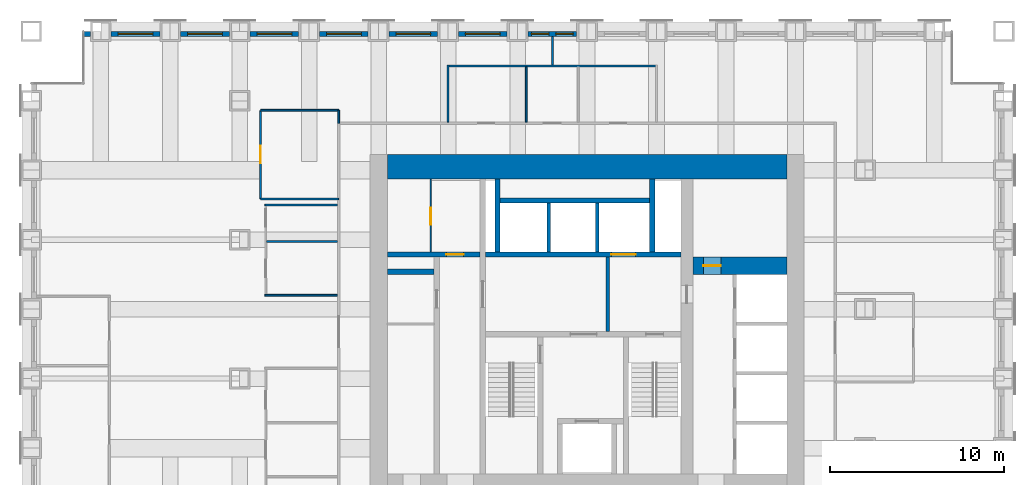
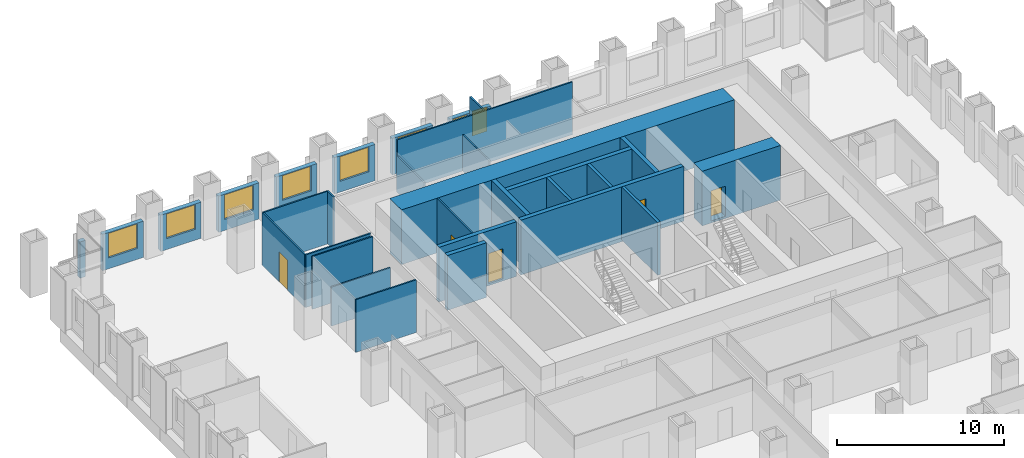
# One storey, part 12 of 15: 31 walls, 8 windows, 5 doors, 13 openings.
"""IFC4 building model written with IfcOpenShell, lengths in metres."""

from ifc_helpers import new_model, si_unit, direction, frame, frame_2d, origin, place, context, subcontext, project, spatial, rectangle, extrude, material, layer, layer_set, type_object, element, fill, save


model = new_model("IFC4")

# Units and contexts
model_context = context("Model", 3, precision=1e-05, world=origin(), true_north=direction((0.0, 1.0)))
body_context = subcontext(model_context, "Body", "Model", "MODEL_VIEW")
ifc_project = project(units=[si_unit("LENGTHUNIT", "METRE"), si_unit("AREAUNIT", "SQUARE_METRE"), si_unit("VOLUMEUNIT", "CUBIC_METRE"), si_unit("PLANEANGLEUNIT", "RADIAN"), si_unit("MASSUNIT", "GRAM", prefix="KILO")], contexts=[model_context])

# Site, building, storey
site_placement = place(None, origin())
site = spatial("IfcSite", under=ifc_project, at=site_placement, CompositionType="ELEMENT")
building_placement = place(site_placement, origin())
building = spatial("IfcBuilding", under=site, at=building_placement, Name="Rimbunsela Tower", CompositionType="ELEMENT")
storey_placement = place(building_placement, frame((0.0, 0.0, 39.0)))
storey = spatial("IfcBuildingStorey", under=building, at=storey_placement, Name="L09", CompositionType="ELEMENT", Elevation=39.0)

# Wall, opening, door
ifc_material_1 = material(Name="Concrete fc' 80 MPa", Category="concrete")
ifc_layer_1 = layer(ifc_material_1, 0.300048828125)
ifc_layer_set_1 = layer_set([ifc_layer_1], Name="Core internal wall 300")
wall_type_1 = type_object("IfcWallType", Name="Core internal wall 300", PredefinedType="SHEAR", material=ifc_layer_set_1)
wall_1_placement = place(storey_placement, frame((24.14990234375, 31.14990234375, -0.14990234375), z_axis=(0.0, 0.0, 1.0), x_axis=(1.0, 0.0, 0.0)))
wall_1 = element("IfcWall", 1, at=wall_1_placement, inside=storey, type_object=wall_type_1, Name="Lift shaft front north", PredefinedType="SHEAR", context=body_context, shape_type="SweptSolid", body=[
    extrude(rectangle(XDim=11.25, YDim=0.300048828125, at=frame_2d((5.625, 0.0))), origin(), (0.0, 0.0, 1.0), 4.0),
])
opening_1_placement = place(wall_1_placement, frame((7.25, 0.0, 0.14990234375)))
opening_1 = element("IfcOpeningElement", 2, at=opening_1_placement, cuts=wall_1, Name="Opening LD3", PredefinedType="OPENING", context=body_context, shape_type="SweptSolid", body=[
    extrude(rectangle(XDim=1.39990234375, YDim=2.39990234375, at=frame_2d((0.699951171875, 1.199951171875))), frame((0.0, 0.159912109375, 0.0), z_axis=(0.0, -1.0, 0.0), x_axis=(1.0, 0.0, 0.0)), (0.0, 0.0, 1.0), 0.320068359375),
])
ifc_material_2 = material(Name="Steel door, fire rated", Category="steel")
door_type_1 = type_object("IfcDoorType", Name="Lift landing door 1400", OperationType="DOUBLE_DOOR_SLIDING", PredefinedType="DOOR", material=ifc_material_2)
door_1_placement = place(opening_1_placement, origin())
door_1 = element("IfcDoor", 3, at=door_1_placement, inside=storey, type_object=door_type_1, Name="Lift landing door FL2", OperationType="DOUBLE_DOOR_SLIDING", OverallHeight=2.39990234375, OverallWidth=1.39990234375, PredefinedType="DOOR", context=body_context, shape_type="SweptSolid", body=[
    extrude(rectangle(XDim=1.39990234375, YDim=2.39990234375, at=frame_2d((0.699951171875, 1.199951171875))), frame((0.0, 0.02490234375, 0.0), z_axis=(0.0, -1.0, 0.0), x_axis=(1.0, 0.0, 0.0)), (0.0, 0.0, 1.0), 0.050048828125),
])
fill(opening_1, door_1)

wall_2_placement = place(storey_placement, frame((18.5, 31.14990234375, -0.14990234375), z_axis=(0.0, 0.0, 1.0), x_axis=(1.0, 0.0, 0.0)))
wall_2 = element("IfcWall", 4, at=wall_2_placement, inside=storey, type_object=wall_type_1, Name="Store wall", PredefinedType="SHEAR", context=body_context, shape_type="SweptSolid", body=[
    extrude(rectangle(XDim=5.35009765625, YDim=0.300048828125, at=frame_2d((2.675048828125, 0.0))), origin(), (0.0, 0.0, 1.0), 4.0),
])
opening_2_placement = place(wall_2_placement, frame((3.39990234375, 0.0, 0.14990234375)))
opening_2 = element("IfcOpeningElement", 5, at=opening_2_placement, cuts=wall_2, Name="Opening D19", PredefinedType="OPENING", context=body_context, shape_type="SweptSolid", body=[
    extrude(rectangle(XDim=1.0, YDim=2.199951171875, at=frame_2d((0.5, 1.10009765625))), frame((0.0, 0.159912109375, 0.0), z_axis=(0.0, -1.0, 0.0), x_axis=(1.0, 0.0, 0.0)), (0.0, 0.0, 1.0), 0.320068359375),
])
ifc_material_3 = material(Name="Steel door, fire rated", Category="steel")
door_type_2 = type_object("IfcDoorType", Name="Service door 1000 fire rated", OperationType="SINGLE_SWING_LEFT", PredefinedType="DOOR", material=ifc_material_3)
door_2_placement = place(opening_2_placement, origin())
door_2 = element("IfcDoor", 6, at=door_2_placement, inside=storey, type_object=door_type_2, Name="IT room door", OperationType="SINGLE_SWING_LEFT", OverallHeight=2.199951171875, OverallWidth=1.0, PredefinedType="DOOR", context=body_context, shape_type="SweptSolid", body=[
    extrude(rectangle(XDim=1.0, YDim=2.199951171875, at=frame_2d((0.5, 1.10009765625))), frame((0.0, 0.02490234375, 0.0), z_axis=(0.0, -1.0, 0.0), x_axis=(1.0, 0.0, 0.0)), (0.0, 0.0, 1.0), 0.050048828125),
])
fill(opening_2, door_2)

# Walls
wall_3_placement = place(storey_placement, frame((18.5, 30.14990234375, -0.14990234375), z_axis=(0.0, 0.0, 1.0), x_axis=(1.0, 0.0, 0.0)))
element("IfcWall", 7, at=wall_3_placement, inside=storey, type_object=wall_type_1, Name="Lift shaft rear west", PredefinedType="SHEAR", context=body_context, shape_type="SweptSolid", body=[
    extrude(rectangle(XDim=2.699951171875, YDim=0.300048828125, at=frame_2d((1.35009765625, 0.0))), origin(), (0.0, 0.0, 1.0), 4.0),
])
for number, where, z_axis, x_axis, name in (
    (8, (24.85009765625, 31.300048828125, -0.14990234375), (0.0, 0.0, 1.0), (0.0, 1.0, 0.0), "Riser wall"),
    (9, (33.75, 31.300048828125, -0.14990234375), (0.0, 0.0, 1.0), (0.0, 1.0, 0.0), "Riser wall"),
):
    element("IfcWall", number, at=place(storey_placement, frame(where, z_axis=z_axis, x_axis=x_axis)), inside=storey, type_object=wall_type_1, Name=name, PredefinedType="SHEAR", context=body_context, shape_type="SweptSolid", body=[
        extrude(rectangle(XDim=4.199951171875, YDim=0.300048828125, at=frame_2d((2.10009765625, 0.0))), origin(), (0.0, 0.0, 1.0), 4.0),
    ])
wall_4_placement = place(storey_placement, frame((25.0, 34.25, -0.14990234375), z_axis=(0.0, 0.0, 1.0), x_axis=(1.0, 0.0, 0.0)))
element("IfcWall", 10, at=wall_4_placement, inside=storey, type_object=wall_type_1, Name="Lift shaft rear north", PredefinedType="SHEAR", context=body_context, shape_type="SweptSolid", body=[
    extrude(rectangle(XDim=8.60009765625, YDim=0.300048828125, at=frame_2d((4.300048828125, 0.0))), origin(), (0.0, 0.0, 1.0), 4.0),
])

# Wall, opening, door
ifc_material_4 = material(Name="Concrete blockwork", Category="masonry")
ifc_layer_2 = layer(ifc_material_4, 0.10009765625)
ifc_layer_set_2 = layer_set([ifc_layer_2], Name="Core room partition 100")
wall_type_2 = type_object("IfcWallType", Name="Core room partition 100", PredefinedType="PARTITIONING", material=ifc_layer_set_2)
wall_5_placement = place(storey_placement, frame((21.0, 31.300048828125, 0.0), z_axis=(0.0, 0.0, 1.0), x_axis=(0.0, 1.0, 0.0)))
wall_5 = element("IfcWall", 11, at=wall_5_placement, inside=storey, type_object=wall_type_2, Name="Housekeeping store wall", PredefinedType="PARTITIONING", context=body_context, shape_type="SweptSolid", body=[
    extrude(rectangle(XDim=4.199951171875, YDim=0.10009765625, at=frame_2d((2.10009765625, 0.0))), origin(), (0.0, 0.0, 1.0), 3.85009765625),
])
opening_3_placement = place(wall_5_placement, frame((1.550048828125, 0.0, 0.0)))
opening_3 = element("IfcOpeningElement", 12, at=opening_3_placement, cuts=wall_5, Name="Opening D19", PredefinedType="OPENING", context=body_context, shape_type="SweptSolid", body=[
    extrude(rectangle(XDim=1.0, YDim=2.199951171875, at=frame_2d((0.5, 1.10009765625))), frame((0.0, 0.06005859375, 0.0), z_axis=(0.0, -1.0, 0.0), x_axis=(1.0, 0.0, 0.0)), (0.0, 0.0, 1.0), 0.1201171875),
])
door_3_placement = place(opening_3_placement, origin())
door_3 = element("IfcDoor", 13, at=door_3_placement, inside=storey, type_object=door_type_2, Name="Housekeeping store door", OperationType="SINGLE_SWING_LEFT", OverallHeight=2.199951171875, OverallWidth=1.0, PredefinedType="DOOR", context=body_context, shape_type="SweptSolid", body=[
    extrude(rectangle(XDim=1.0, YDim=2.199951171875, at=frame_2d((0.5, 1.10009765625))), frame((0.0, 0.02490234375, 0.0), z_axis=(0.0, -1.0, 0.0), x_axis=(1.0, 0.0, 0.0)), (0.0, 0.0, 1.0), 0.050048828125),
])
fill(opening_3, door_3)

ifc_material_5 = material(Name="Concrete fc' 80 MPa", Category="concrete")
ifc_layer_3 = layer(ifc_material_5, 1.0)
ifc_layer_set_3 = layer_set([ifc_layer_3], Name="Core wall 1000")
wall_type_3 = type_object("IfcWallType", Name="Core wall 1000", PredefinedType="SHEAR", material=ifc_layer_set_3)
wall_6_placement = place(storey_placement, frame((36.10009765625, 30.5, -0.14990234375), z_axis=(0.0, 0.0, 1.0), x_axis=(1.0, 0.0, 0.0)))
wall_6 = element("IfcWall", 14, at=wall_6_placement, inside=storey, type_object=wall_type_3, Name="Lift shaft rear east", PredefinedType="SHEAR", context=body_context, shape_type="SweptSolid", body=[
    extrude(rectangle(XDim=5.39990234375, YDim=1.0, at=frame_2d((2.699951171875, 0.0))), origin(), (0.0, 0.0, 1.0), 4.0),
])
opening_4_placement = place(wall_6_placement, frame((0.60009765625, 0.0, 0.14990234375)))
opening_4 = element("IfcOpeningElement", 15, at=opening_4_placement, cuts=wall_6, Name="Opening D19", PredefinedType="OPENING", context=body_context, shape_type="SweptSolid", body=[
    extrude(rectangle(XDim=1.0, YDim=2.199951171875, at=frame_2d((0.5, 1.10009765625))), frame((0.0, 0.510009765625, 0.0), z_axis=(0.0, -1.0, 0.0), x_axis=(1.0, 0.0, 0.0)), (0.0, 0.0, 1.0), 1.02001953125),
])
door_4_placement = place(opening_4_placement, origin())
door_4 = element("IfcDoor", 16, at=door_4_placement, inside=storey, type_object=door_type_2, Name="Communications room door", OperationType="SINGLE_SWING_LEFT", OverallHeight=2.199951171875, OverallWidth=1.0, PredefinedType="DOOR", context=body_context, shape_type="SweptSolid", body=[
    extrude(rectangle(XDim=1.0, YDim=2.199951171875, at=frame_2d((0.5, 1.10009765625))), frame((0.0, 0.02490234375, 0.0), z_axis=(0.0, -1.0, 0.0), x_axis=(1.0, 0.0, 0.0)), (0.0, 0.0, 1.0), 0.050048828125),
])
fill(opening_4, door_4)

# Walls
ifc_material_6 = material(Name="Concrete fc' 80 MPa", Category="concrete")
ifc_layer_4 = layer(ifc_material_6, 1.39990234375)
ifc_layer_set_4 = layer_set([ifc_layer_4], Name="Core wall 1400")
wall_type_4 = type_object("IfcWallType", Name="Core wall 1400", PredefinedType="SHEAR", material=ifc_layer_set_4)
wall_7_placement = place(storey_placement, frame((18.5, 36.199951171875, -0.14990234375), z_axis=(0.0, 0.0, 1.0), x_axis=(1.0, 0.0, 0.0)))
element("IfcWall", 17, at=wall_7_placement, inside=storey, type_object=wall_type_4, Name="Core wall north", PredefinedType="SHEAR", context=body_context, shape_type="SweptSolid", body=[
    extrude(rectangle(XDim=23.0, YDim=1.39990234375, at=frame_2d((11.5, 0.0))), origin(), (0.0, 0.0, 1.0), 4.0),
])
ifc_material_7 = material(Name="Concrete blockwork", Category="masonry")
ifc_layer_5 = layer(ifc_material_7, 0.199951171875)
ifc_layer_set_5 = layer_set([ifc_layer_5], Name="Lift shaft wall 200")
wall_type_5 = type_object("IfcWallType", Name="Lift shaft wall 200", PredefinedType="SOLIDWALL", material=ifc_layer_set_5)
for number, where, z_axis, x_axis, name in (
    (18, (27.800048828125, 31.300048828125, -0.14990234375), (0.0, 0.0, 1.0), (0.0, 1.0, 0.0), "Lift shaft separation"),
    (19, (30.60009765625, 31.300048828125, -0.14990234375), (0.0, 0.0, 1.0), (0.0, 1.0, 0.0), "Lift shaft separation"),
):
    element("IfcWall", number, at=place(storey_placement, frame(where, z_axis=z_axis, x_axis=x_axis)), inside=storey, type_object=wall_type_5, Name=name, PredefinedType="SOLIDWALL", context=body_context, shape_type="SweptSolid", body=[
        extrude(rectangle(XDim=2.800048828125, YDim=0.199951171875, at=frame_2d((1.39990234375, 0.0))), origin(), (0.0, 0.0, 1.0), 4.0),
    ])
wall_8_placement = place(storey_placement, frame((31.199951171875, 26.699951171875, 0.0), z_axis=(0.0, 0.0, 1.0), x_axis=(0.0, 1.0, 0.0)))
element("IfcWall", 20, at=wall_8_placement, inside=storey, type_object=wall_type_5, Name="Firefighting lobby 2 wall", PredefinedType="SOLIDWALL", context=body_context, shape_type="SweptSolid", body=[
    extrude(rectangle(XDim=4.300048828125, YDim=0.199951171875, at=frame_2d((2.14990234375, 0.0))), origin(), (0.0, 0.0, 1.0), 3.85009765625),
])
ifc_material_8 = material(Name="Gypsum board on steel studs", Category="steel")
ifc_layer_6 = layer(ifc_material_8, 0.10009765625)
ifc_layer_set_6 = layer_set([ifc_layer_6], Name="Office partition 100")
wall_type_6 = type_object("IfcWallType", Name="Office partition 100", PredefinedType="PARTITIONING", material=ifc_layer_set_6)
wall_9_placement = place(storey_placement, frame((11.449951171875, 28.800048828125, 0.0), z_axis=(0.0, 0.0, 1.0), x_axis=(1.0, 0.0, 0.0)))
element("IfcWall", 21, at=wall_9_placement, inside=storey, type_object=wall_type_6, Name="Office partition", PredefinedType="PARTITIONING", context=body_context, shape_type="SweptSolid", body=[
    extrude(rectangle(XDim=4.175048828125, YDim=0.10009765625, at=frame_2d((2.08740234375, 0.0))), origin(), (0.0, 0.0, 1.0), 3.85009765625),
])
wall_10_placement = place(storey_placement, frame((11.550048828125, 31.89990234375, 0.0), z_axis=(0.0, 0.0, 1.0), x_axis=(1.0, 0.0, 0.0)))
element("IfcWall", 22, at=wall_10_placement, inside=storey, type_object=wall_type_6, Name="Office partition", PredefinedType="PARTITIONING", context=body_context, shape_type="SweptSolid", body=[
    extrude(rectangle(XDim=4.074951171875, YDim=0.10009765625, at=frame_2d((2.03759765625, 0.0))), origin(), (0.0, 0.0, 1.0), 2.85009765625),
])
wall_11_placement = place(storey_placement, frame((11.449951171875, 34.0, 0.0), z_axis=(0.0, 0.0, 1.0), x_axis=(1.0, 0.0, 0.0)))
element("IfcWall", 23, at=wall_11_placement, inside=storey, type_object=wall_type_6, Name="Office partition", PredefinedType="PARTITIONING", context=body_context, shape_type="SweptSolid", body=[
    extrude(rectangle(XDim=4.175048828125, YDim=0.10009765625, at=frame_2d((2.08740234375, 0.0))), origin(), (0.0, 0.0, 1.0), 3.85009765625),
])
wall_12_placement = place(storey_placement, frame((15.699951171875, 38.699951171875, 0.0), z_axis=(0.0, 0.0, 1.0), x_axis=(0.0, 1.0, 0.0)))
element("IfcWall", 24, at=wall_12_placement, inside=storey, type_object=wall_type_6, Name="Office partition", PredefinedType="PARTITIONING", context=body_context, shape_type="SweptSolid", body=[
    extrude(rectangle(XDim=0.75, YDim=0.10009765625, at=frame_2d((0.375, 0.0))), origin(), (0.0, 0.0, 1.0), 3.85009765625),
])
wall_13_placement = place(storey_placement, frame((15.699951171875, 39.449951171875, 0.0), z_axis=(0.0, 0.0, 1.0), x_axis=(-1.0, 0.0, 0.0)))
element("IfcWall", 25, at=wall_13_placement, inside=storey, type_object=wall_type_6, Name="Office partition", PredefinedType="PARTITIONING", context=body_context, shape_type="SweptSolid", body=[
    extrude(rectangle(XDim=4.5, YDim=0.10009765625, at=frame_2d((2.25, 0.0))), origin(), (0.0, 0.0, 1.0), 3.85009765625),
])

# Wall, opening, door
wall_14_placement = place(storey_placement, frame((11.199951171875, 39.449951171875, 0.0), z_axis=(0.0, 0.0, 1.0), x_axis=(0.0, -1.0, 0.0)))
wall_14 = element("IfcWall", 26, at=wall_14_placement, inside=storey, type_object=wall_type_6, Name="Office partition", PredefinedType="PARTITIONING", context=body_context, shape_type="SweptSolid", body=[
    extrude(rectangle(XDim=5.099853515625, YDim=0.10009765625, at=frame_2d((2.5498046875, 0.0))), origin(), (0.0, 0.0, 1.0), 3.85009765625),
])
opening_5_placement = place(wall_14_placement, frame((2.050048828125, 0.0, 0.0)))
opening_5 = element("IfcOpeningElement", 27, at=opening_5_placement, cuts=wall_14, Name="Opening D17", PredefinedType="OPENING", context=body_context, shape_type="SweptSolid", body=[
    extrude(rectangle(XDim=1.0, YDim=2.199951171875, at=frame_2d((0.5, 1.10009765625))), frame((0.0, 0.06005859375, 0.0), z_axis=(0.0, -1.0, 0.0), x_axis=(1.0, 0.0, 0.0)), (0.0, 0.0, 1.0), 0.1201171875),
])
ifc_material_9 = material(Name="Glazed aluminium door", Category="aluminium")
door_type_3 = type_object("IfcDoorType", Name="Meeting room door 1000 glazed", OperationType="SINGLE_SWING_RIGHT", PredefinedType="DOOR", material=ifc_material_9)
door_5_placement = place(opening_5_placement, origin())
door_5 = element("IfcDoor", 28, at=door_5_placement, inside=storey, type_object=door_type_3, Name="Reception door", OperationType="SINGLE_SWING_RIGHT", OverallHeight=2.199951171875, OverallWidth=1.0, PredefinedType="DOOR", context=body_context, shape_type="SweptSolid", body=[
    extrude(rectangle(XDim=1.0, YDim=2.199951171875, at=frame_2d((0.5, 1.10009765625))), frame((0.0, 0.02490234375, 0.0), z_axis=(0.0, -1.0, 0.0), x_axis=(1.0, 0.0, 0.0)), (0.0, 0.0, 1.0), 0.050048828125),
])
fill(opening_5, door_5)

# Walls
wall_15_placement = place(storey_placement, frame((11.199951171875, 34.35009765625, 0.0), z_axis=(0.0, 0.0, 1.0), x_axis=(1.0, 0.0, 0.0)))
element("IfcWall", 29, at=wall_15_placement, inside=storey, type_object=wall_type_6, Name="Office partition", PredefinedType="PARTITIONING", context=body_context, shape_type="SweptSolid", body=[
    extrude(rectangle(XDim=4.5, YDim=0.10009765625, at=frame_2d((2.25, 0.0))), origin(), (0.0, 0.0, 1.0), 3.85009765625),
])
ifc_material_10 = material(Name="Precast concrete fc' 35 MPa", Category="concrete")
ifc_layer_7 = layer(ifc_material_10, 0.300048828125)
ifc_layer_set_7 = layer_set([ifc_layer_7], Name="Precast concrete fc' 35 MPa")
wall_type_7 = type_object("IfcWallType", Name="Precast facade panel 300", PredefinedType="ELEMENTEDWALL", material=ifc_layer_set_7)
wall_16_placement = place(storey_placement, frame((1.39990234375, 43.85009765625, 0.0), z_axis=(0.0, 0.0, 1.0), x_axis=(-1.0, 0.0, 0.0)))
element("IfcWall", 30, at=wall_16_placement, inside=storey, type_object=wall_type_7, Name="Facade panel N L09", PredefinedType="ELEMENTEDWALL", context=body_context, shape_type="SweptSolid", body=[
    extrude(rectangle(XDim=0.369873046875, YDim=0.300048828125, at=frame_2d((0.18505859375, 0.0))), origin(), (0.0, 0.0, 1.0), 2.64990234375),
])

# Wall, opening, window
wall_17_placement = place(storey_placement, frame((5.39990234375, 43.85009765625, 0.0), z_axis=(0.0, 0.0, 1.0), x_axis=(-1.0, 0.0, 0.0)))
wall_17 = element("IfcWall", 31, at=wall_17_placement, inside=storey, type_object=wall_type_7, Name="Facade panel N L09", PredefinedType="ELEMENTEDWALL", context=body_context, shape_type="SweptSolid", body=[
    extrude(rectangle(XDim=2.7998046875, YDim=0.300048828125, at=frame_2d((1.39990234375, 0.0))), origin(), (0.0, 0.0, 1.0), 2.64990234375),
])
opening_6_placement = place(wall_17_placement, frame((0.39990234375, 0.0, 0.800048828125)))
opening_6 = element("IfcOpeningElement", 32, at=opening_6_placement, cuts=wall_17, Name="Opening W7", PredefinedType="OPENING", context=body_context, shape_type="SweptSolid", body=[
    extrude(rectangle(XDim=2.0, YDim=1.800048828125, at=frame_2d((1.0, 0.89990234375))), frame((0.0, 0.159912109375, 0.0), z_axis=(0.0, -1.0, 0.0), x_axis=(1.0, 0.0, 0.0)), (0.0, 0.0, 1.0), 0.320068359375),
])
ifc_material_11 = material(Name="Clear glass in aluminium frame", Category="aluminium")
window_type_1 = type_object("IfcWindowType", Name="Window W7 2000x1800", PartitioningType="DOUBLE_PANEL_VERTICAL", PredefinedType="WINDOW", material=ifc_material_11)
window_1_placement = place(opening_6_placement, origin())
window_1 = element("IfcWindow", 33, at=window_1_placement, inside=storey, type_object=window_type_1, Name="Window L09", OverallHeight=1.800048828125, OverallWidth=2.0, PartitioningType="SINGLE_PANEL", PredefinedType="WINDOW", context=body_context, shape_type="SweptSolid", body=[
    extrude(rectangle(XDim=2.0, YDim=1.800048828125, at=frame_2d((1.0, 0.89990234375))), frame((0.0, 0.030029296875, 0.0), z_axis=(0.0, -1.0, 0.0), x_axis=(1.0, 0.0, 0.0)), (0.0, 0.0, 1.0), 0.06005859375),
])
fill(opening_6, window_1)

wall_18_placement = place(storey_placement, frame((9.39990234375, 43.85009765625, 0.0), z_axis=(0.0, 0.0, 1.0), x_axis=(-1.0, 0.0, 0.0)))
wall_18 = element("IfcWall", 34, at=wall_18_placement, inside=storey, type_object=wall_type_7, Name="Facade panel N L09", PredefinedType="ELEMENTEDWALL", context=body_context, shape_type="SweptSolid", body=[
    extrude(rectangle(XDim=2.7998046875, YDim=0.300048828125, at=frame_2d((1.39990234375, 0.0))), origin(), (0.0, 0.0, 1.0), 2.64990234375),
])
opening_7_placement = place(wall_18_placement, frame((0.39990234375, 0.0, 0.800048828125)))
opening_7 = element("IfcOpeningElement", 35, at=opening_7_placement, cuts=wall_18, Name="Opening W7", PredefinedType="OPENING", context=body_context, shape_type="SweptSolid", body=[
    extrude(rectangle(XDim=2.0, YDim=1.800048828125, at=frame_2d((1.0, 0.89990234375))), frame((0.0, 0.159912109375, 0.0), z_axis=(0.0, -1.0, 0.0), x_axis=(1.0, 0.0, 0.0)), (0.0, 0.0, 1.0), 0.320068359375),
])
window_2_placement = place(opening_7_placement, origin())
window_2 = element("IfcWindow", 36, at=window_2_placement, inside=storey, type_object=window_type_1, Name="Window L09", OverallHeight=1.800048828125, OverallWidth=2.0, PartitioningType="SINGLE_PANEL", PredefinedType="WINDOW", context=body_context, shape_type="SweptSolid", body=[
    extrude(rectangle(XDim=2.0, YDim=1.800048828125, at=frame_2d((1.0, 0.89990234375))), frame((0.0, 0.030029296875, 0.0), z_axis=(0.0, -1.0, 0.0), x_axis=(1.0, 0.0, 0.0)), (0.0, 0.0, 1.0), 0.06005859375),
])
fill(opening_7, window_2)

wall_19_placement = place(storey_placement, frame((13.39990234375, 43.85009765625, 0.0), z_axis=(0.0, 0.0, 1.0), x_axis=(-1.0, 0.0, 0.0)))
wall_19 = element("IfcWall", 37, at=wall_19_placement, inside=storey, type_object=wall_type_7, Name="Facade panel N L09", PredefinedType="ELEMENTEDWALL", context=body_context, shape_type="SweptSolid", body=[
    extrude(rectangle(XDim=2.7998046875, YDim=0.300048828125, at=frame_2d((1.39990234375, 0.0))), origin(), (0.0, 0.0, 1.0), 2.64990234375),
])
opening_8_placement = place(wall_19_placement, frame((0.39990234375, 0.0, 0.800048828125)))
opening_8 = element("IfcOpeningElement", 38, at=opening_8_placement, cuts=wall_19, Name="Opening W7", PredefinedType="OPENING", context=body_context, shape_type="SweptSolid", body=[
    extrude(rectangle(XDim=2.0, YDim=1.800048828125, at=frame_2d((1.0, 0.89990234375))), frame((0.0, 0.159912109375, 0.0), z_axis=(0.0, -1.0, 0.0), x_axis=(1.0, 0.0, 0.0)), (0.0, 0.0, 1.0), 0.320068359375),
])
window_3_placement = place(opening_8_placement, origin())
window_3 = element("IfcWindow", 39, at=window_3_placement, inside=storey, type_object=window_type_1, Name="Window L09", OverallHeight=1.800048828125, OverallWidth=2.0, PartitioningType="SINGLE_PANEL", PredefinedType="WINDOW", context=body_context, shape_type="SweptSolid", body=[
    extrude(rectangle(XDim=2.0, YDim=1.800048828125, at=frame_2d((1.0, 0.89990234375))), frame((0.0, 0.030029296875, 0.0), z_axis=(0.0, -1.0, 0.0), x_axis=(1.0, 0.0, 0.0)), (0.0, 0.0, 1.0), 0.06005859375),
])
fill(opening_8, window_3)

wall_20_placement = place(storey_placement, frame((17.39990234375, 43.85009765625, 0.0), z_axis=(0.0, 0.0, 1.0), x_axis=(-1.0, 0.0, 0.0)))
wall_20 = element("IfcWall", 40, at=wall_20_placement, inside=storey, type_object=wall_type_7, Name="Facade panel N L09", PredefinedType="ELEMENTEDWALL", context=body_context, shape_type="SweptSolid", body=[
    extrude(rectangle(XDim=2.7998046875, YDim=0.300048828125, at=frame_2d((1.39990234375, 0.0))), origin(), (0.0, 0.0, 1.0), 2.64990234375),
])
opening_9_placement = place(wall_20_placement, frame((0.39990234375, 0.0, 0.800048828125)))
opening_9 = element("IfcOpeningElement", 41, at=opening_9_placement, cuts=wall_20, Name="Opening W7", PredefinedType="OPENING", context=body_context, shape_type="SweptSolid", body=[
    extrude(rectangle(XDim=2.0, YDim=1.800048828125, at=frame_2d((1.0, 0.89990234375))), frame((0.0, 0.159912109375, 0.0), z_axis=(0.0, -1.0, 0.0), x_axis=(1.0, 0.0, 0.0)), (0.0, 0.0, 1.0), 0.320068359375),
])
window_4_placement = place(opening_9_placement, origin())
window_4 = element("IfcWindow", 42, at=window_4_placement, inside=storey, type_object=window_type_1, Name="Window L09", OverallHeight=1.800048828125, OverallWidth=2.0, PartitioningType="SINGLE_PANEL", PredefinedType="WINDOW", context=body_context, shape_type="SweptSolid", body=[
    extrude(rectangle(XDim=2.0, YDim=1.800048828125, at=frame_2d((1.0, 0.89990234375))), frame((0.0, 0.030029296875, 0.0), z_axis=(0.0, -1.0, 0.0), x_axis=(1.0, 0.0, 0.0)), (0.0, 0.0, 1.0), 0.06005859375),
])
fill(opening_9, window_4)

wall_21_placement = place(storey_placement, frame((21.39990234375, 43.85009765625, 0.0), z_axis=(0.0, 0.0, 1.0), x_axis=(-1.0, 0.0, 0.0)))
wall_21 = element("IfcWall", 43, at=wall_21_placement, inside=storey, type_object=wall_type_7, Name="Facade panel N L09", PredefinedType="ELEMENTEDWALL", context=body_context, shape_type="SweptSolid", body=[
    extrude(rectangle(XDim=2.7998046875, YDim=0.300048828125, at=frame_2d((1.39990234375, 0.0))), origin(), (0.0, 0.0, 1.0), 2.64990234375),
])
opening_10_placement = place(wall_21_placement, frame((0.39990234375, 0.0, 0.800048828125)))
opening_10 = element("IfcOpeningElement", 44, at=opening_10_placement, cuts=wall_21, Name="Opening W7", PredefinedType="OPENING", context=body_context, shape_type="SweptSolid", body=[
    extrude(rectangle(XDim=2.0, YDim=1.800048828125, at=frame_2d((1.0, 0.89990234375))), frame((0.0, 0.159912109375, 0.0), z_axis=(0.0, -1.0, 0.0), x_axis=(1.0, 0.0, 0.0)), (0.0, 0.0, 1.0), 0.320068359375),
])
window_5_placement = place(opening_10_placement, origin())
window_5 = element("IfcWindow", 45, at=window_5_placement, inside=storey, type_object=window_type_1, Name="Window L09", OverallHeight=1.800048828125, OverallWidth=2.0, PartitioningType="SINGLE_PANEL", PredefinedType="WINDOW", context=body_context, shape_type="SweptSolid", body=[
    extrude(rectangle(XDim=2.0, YDim=1.800048828125, at=frame_2d((1.0, 0.89990234375))), frame((0.0, 0.030029296875, 0.0), z_axis=(0.0, -1.0, 0.0), x_axis=(1.0, 0.0, 0.0)), (0.0, 0.0, 1.0), 0.06005859375),
])
fill(opening_10, window_5)

wall_22_placement = place(storey_placement, frame((25.39990234375, 43.85009765625, 0.0), z_axis=(0.0, 0.0, 1.0), x_axis=(-1.0, 0.0, 0.0)))
wall_22 = element("IfcWall", 46, at=wall_22_placement, inside=storey, type_object=wall_type_7, Name="Facade panel N L09", PredefinedType="ELEMENTEDWALL", context=body_context, shape_type="SweptSolid", body=[
    extrude(rectangle(XDim=2.7998046875, YDim=0.300048828125, at=frame_2d((1.39990234375, 0.0))), origin(), (0.0, 0.0, 1.0), 2.64990234375),
])
opening_11_placement = place(wall_22_placement, frame((0.39990234375, 0.0, 0.800048828125)))
opening_11 = element("IfcOpeningElement", 47, at=opening_11_placement, cuts=wall_22, Name="Opening W7", PredefinedType="OPENING", context=body_context, shape_type="SweptSolid", body=[
    extrude(rectangle(XDim=2.0, YDim=1.800048828125, at=frame_2d((1.0, 0.89990234375))), frame((0.0, 0.159912109375, 0.0), z_axis=(0.0, -1.0, 0.0), x_axis=(1.0, 0.0, 0.0)), (0.0, 0.0, 1.0), 0.320068359375),
])
window_6_placement = place(opening_11_placement, origin())
window_6 = element("IfcWindow", 48, at=window_6_placement, inside=storey, type_object=window_type_1, Name="Window L09", OverallHeight=1.800048828125, OverallWidth=2.0, PartitioningType="SINGLE_PANEL", PredefinedType="WINDOW", context=body_context, shape_type="SweptSolid", body=[
    extrude(rectangle(XDim=2.0, YDim=1.800048828125, at=frame_2d((1.0, 0.89990234375))), frame((0.0, 0.030029296875, 0.0), z_axis=(0.0, -1.0, 0.0), x_axis=(1.0, 0.0, 0.0)), (0.0, 0.0, 1.0), 0.06005859375),
])
fill(opening_11, window_6)

# Wall, openings, windows
wall_23_placement = place(storey_placement, frame((29.39990234375, 43.85009765625, 0.0), z_axis=(0.0, 0.0, 1.0), x_axis=(-1.0, 0.0, 0.0)))
wall_23 = element("IfcWall", 49, at=wall_23_placement, inside=storey, type_object=wall_type_7, Name="Facade panel N L09", PredefinedType="ELEMENTEDWALL", context=body_context, shape_type="SweptSolid", body=[
    extrude(rectangle(XDim=2.7998046875, YDim=0.300048828125, at=frame_2d((1.39990234375, 0.0))), origin(), (0.0, 0.0, 1.0), 2.64990234375),
])
opening_12_placement = place(wall_23_placement, frame((1.60009765625, 0.0, 0.800048828125)))
opening_12 = element("IfcOpeningElement", 50, at=opening_12_placement, cuts=wall_23, Name="Opening W8", PredefinedType="OPENING", context=body_context, shape_type="SweptSolid", body=[
    extrude(rectangle(XDim=1.0, YDim=1.800048828125, at=frame_2d((0.5, 0.89990234375))), frame((0.0, 0.159912109375, 0.0), z_axis=(0.0, -1.0, 0.0), x_axis=(1.0, 0.0, 0.0)), (0.0, 0.0, 1.0), 0.320068359375),
])
opening_13_placement = place(wall_23_placement, frame((0.199951171875, 0.0, 0.800048828125)))
opening_13 = element("IfcOpeningElement", 51, at=opening_13_placement, cuts=wall_23, Name="Opening W8", PredefinedType="OPENING", context=body_context, shape_type="SweptSolid", body=[
    extrude(rectangle(XDim=1.0, YDim=1.800048828125, at=frame_2d((0.5, 0.89990234375))), frame((0.0, 0.159912109375, 0.0), z_axis=(0.0, -1.0, 0.0), x_axis=(1.0, 0.0, 0.0)), (0.0, 0.0, 1.0), 0.320068359375),
])
ifc_material_12 = material(Name="Clear glass in aluminium frame", Category="aluminium")
window_type_2 = type_object("IfcWindowType", Name="Window W8 1000x1800", PartitioningType="SINGLE_PANEL", PredefinedType="WINDOW", material=ifc_material_12)
window_7_placement = place(opening_12_placement, origin())
window_7 = element("IfcWindow", 52, at=window_7_placement, inside=storey, type_object=window_type_2, Name="Window L09", OverallHeight=1.800048828125, OverallWidth=1.0, PartitioningType="SINGLE_PANEL", PredefinedType="WINDOW", context=body_context, shape_type="SweptSolid", body=[
    extrude(rectangle(XDim=1.0, YDim=1.800048828125, at=frame_2d((0.5, 0.89990234375))), frame((0.0, 0.030029296875, 0.0), z_axis=(0.0, -1.0, 0.0), x_axis=(1.0, 0.0, 0.0)), (0.0, 0.0, 1.0), 0.06005859375),
])
fill(opening_12, window_7)
window_8_placement = place(opening_13_placement, origin())
window_8 = element("IfcWindow", 53, at=window_8_placement, inside=storey, type_object=window_type_2, Name="Window L09", OverallHeight=1.800048828125, OverallWidth=1.0, PartitioningType="SINGLE_PANEL", PredefinedType="WINDOW", context=body_context, shape_type="SweptSolid", body=[
    extrude(rectangle(XDim=1.0, YDim=1.800048828125, at=frame_2d((0.5, 0.89990234375))), frame((0.0, 0.030029296875, 0.0), z_axis=(0.0, -1.0, 0.0), x_axis=(1.0, 0.0, 0.0)), (0.0, 0.0, 1.0), 0.06005859375),
])
fill(opening_13, window_8)

# Walls
ifc_material_13 = material(Name="Gypsum board on steel studs", Category="steel")
ifc_layer_8 = layer(ifc_material_13, 0.1201171875)
ifc_layer_set_8 = layer_set([ifc_layer_8], Name="Tenancy partition 120")
wall_type_8 = type_object("IfcWallType", Name="Tenancy partition 120", PredefinedType="PARTITIONING", material=ifc_layer_set_8)
wall_24_placement = place(storey_placement, frame((28.0, 42.050048828125, 0.0), z_axis=(0.0, 0.0, 1.0), x_axis=(0.0, 1.0, 0.0)))
element("IfcWall", 54, at=wall_24_placement, inside=storey, type_object=wall_type_8, Name="Tenancy partition north", PredefinedType="PARTITIONING", context=body_context, shape_type="SweptSolid", body=[
    extrude(rectangle(XDim=1.64990234375, YDim=0.1201171875, at=frame_2d((0.824951171875, 0.0))), origin(), (0.0, 0.0, 1.0), 3.85009765625),
])
ifc_material_14 = material(Name="Concrete blockwork", Category="masonry")
ifc_layer_9 = layer(ifc_material_14, 0.10009765625)
ifc_layer_set_9 = layer_set([ifc_layer_9], Name="Toilet partition 100")
wall_type_9 = type_object("IfcWallType", Name="Toilet partition 100", PredefinedType="PARTITIONING", material=ifc_layer_set_9)
wall_25_placement = place(storey_placement, frame((22.0, 38.77490234375, 0.0), z_axis=(0.0, 0.0, 1.0), x_axis=(0.0, 1.0, 0.0)))
element("IfcWall", 55, at=wall_25_placement, inside=storey, type_object=wall_type_9, Name="Toilet block wall west", PredefinedType="PARTITIONING", context=body_context, shape_type="SweptSolid", body=[
    extrude(rectangle(XDim=3.275146484375, YDim=0.10009765625, at=frame_2d((1.6376953125, 0.0))), origin(), (0.0, 0.0, 1.0), 2.64990234375),
])
wall_26_placement = place(storey_placement, frame((21.949951171875, 42.0, 0.0), z_axis=(0.0, 0.0, 1.0), x_axis=(1.0, 0.0, 0.0)))
element("IfcWall", 56, at=wall_26_placement, inside=storey, type_object=wall_type_9, Name="Toilet block wall north", PredefinedType="PARTITIONING", context=body_context, shape_type="SweptSolid", body=[
    extrude(rectangle(XDim=12.10009765625, YDim=0.10009765625, at=frame_2d((6.050048828125, 0.0))), origin(), (0.0, 0.0, 1.0), 3.85009765625),
])
wall_27_placement = place(storey_placement, frame((26.5, 38.77490234375, 0.0), z_axis=(0.0, 0.0, 1.0), x_axis=(0.0, 1.0, 0.0)))
element("IfcWall", 57, at=wall_27_placement, inside=storey, type_object=wall_type_9, Name="Toilet partition", PredefinedType="PARTITIONING", context=body_context, shape_type="SweptSolid", body=[
    extrude(rectangle(XDim=3.175048828125, YDim=0.10009765625, at=frame_2d((1.58740234375, 0.0))), origin(), (0.0, 0.0, 1.0), 2.64990234375),
])

save(model, "model.ifc")
